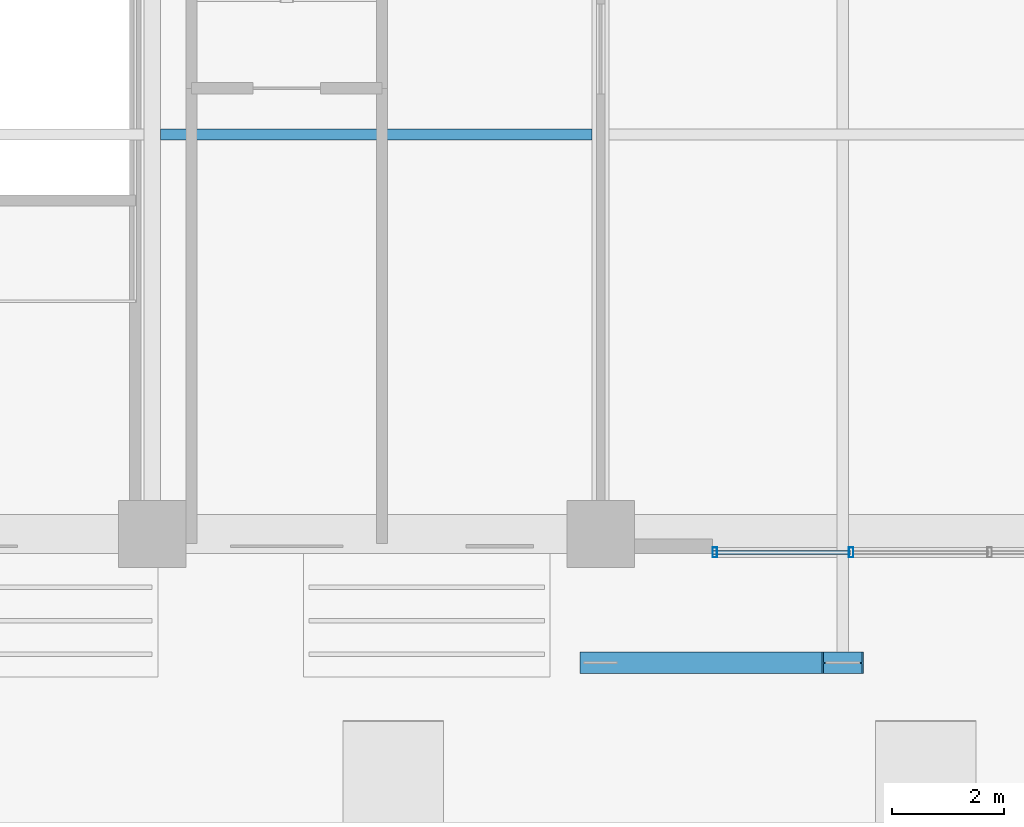
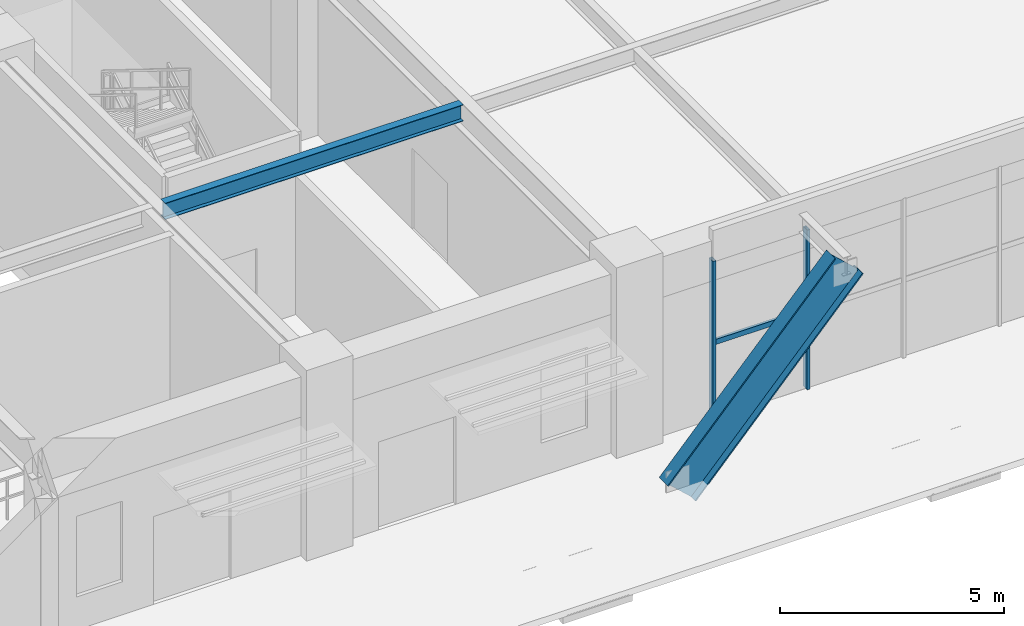
# One storey, part 5 of 40: 4 members, 1 beam, 1 element without a shape of its own.
"""IFC4 building model written with IfcOpenShell, lengths in metres."""

from ifc_helpers import new_model, si_unit, direction, frame, origin, origin_2d, place, context, subcontext, project, spatial, hollow_rectangle, i_section, extrude, source, transform, mapped, material, material_profile, profile_set, type_object, element, aggregate, save


model = new_model("IFC4")

# Units and contexts
model_context = context("Model", 3, precision=1e-05, world=origin(), true_north=direction((0.0, 1.0)))
body_context = subcontext(model_context, "Body", "Model", "MODEL_VIEW")
ifc_project = project(units=[si_unit("LENGTHUNIT", "METRE"), si_unit("AREAUNIT", "SQUARE_METRE"), si_unit("VOLUMEUNIT", "CUBIC_METRE"), si_unit("PLANEANGLEUNIT", "RADIAN"), si_unit("MASSUNIT", "GRAM", prefix="KILO")], contexts=[model_context])

# Site, building, storey
site_placement = place(None, origin())
site = spatial("IfcSite", under=ifc_project, at=site_placement, CompositionType="ELEMENT")
building_placement = place(site_placement, origin())
building = spatial("IfcBuilding", under=site, at=building_placement, Name="Trelvane Seafront Commons", CompositionType="ELEMENT")
storey_placement = place(building_placement, origin())
storey = spatial("IfcBuildingStorey", under=building, at=storey_placement, Name="L00", CompositionType="ELEMENT", Elevation=0.0)

# Beam
ifc_material_1 = material(Name="Steel SM355 (S355)", Category="steel")
ifc_material_profile_1 = material_profile(ifc_material_1, i_section(OverallWidth=0.199951171875, OverallDepth=0.449951171875, WebThickness=0.009033203125, FlangeThickness=0.013916015625, at=origin_2d()), Name="H-450x200x9x14")
ifc_profile_set_1 = profile_set([ifc_material_profile_1], Name="Steel SM355 (S355)")
beam_type = type_object("IfcBeamType", Name="STR-JST-H450", PredefinedType="JOIST", material=ifc_profile_set_1)
shared_shape_1 = source(origin(), body_context, "Body", "SweptSolid", [
    extrude(i_section(OverallWidth=0.199951171875, OverallDepth=0.449951171875, WebThickness=0.009033203125, FlangeThickness=0.013916015625, at=origin_2d()), origin(), (0.0, 0.0, 1.0), 7.699951171875),
])
beam_placement = place(storey_placement, frame((7.75, 11.074951171875, 4.655029296875), z_axis=(1.0, 0.0, 0.0), x_axis=(0.0, 1.0, 0.0)))
element("IfcBeam", 1, at=beam_placement, inside=storey, type_object=beam_type, Name="L00 Secondary Floor Joist B-60", PredefinedType="JOIST", context=body_context, shape_type="MappedRepresentation", body=[
    mapped(shared_shape_1, transform((0.0, 0.0, 0.0), x_axis=(1.0, 0.0, 0.0), y_axis=(0.0, 1.0, 0.0), z_axis=(0.0, 0.0, 1.0), scale=1.0)),
])

# Member
ifc_material_profile_2 = material_profile(ifc_material_1, i_section(OverallWidth=0.3798828125, OverallDepth=1.0, WebThickness=0.01904296875, FlangeThickness=0.033935546875, at=origin_2d()), Name="W-1000x380x19x34")
ifc_profile_set_2 = profile_set([ifc_material_profile_2], Name="Steel SM355 (S355)")
member_type_1 = type_object("IfcMemberType", Name="STR-STR-W1000", PredefinedType="STRUT", material=ifc_profile_set_2)
shared_shape_2 = source(origin(), body_context, "Body", "SweptSolid", [
    extrude(i_section(OverallWidth=0.3798828125, OverallDepth=1.0, WebThickness=0.01904296875, FlangeThickness=0.033935546875, at=origin_2d()), origin(), (0.0, 0.0, 1.0), 6.383544921875),
])
member_1_placement = place(storey_placement, frame((15.60009765625, 1.64990234375, -0.02001953125), z_axis=(0.676705985891, 0.0, 0.736253359014), x_axis=(0.0, 1.0, 0.0)))
element("IfcMember", 2, at=member_1_placement, inside=storey, type_object=member_type_1, Name="L00 Base Inverted-V Portal Mega-Strut VP-W", PredefinedType="STRUT", context=body_context, shape_type="MappedRepresentation", body=[
    mapped(shared_shape_2, transform((0.0, 0.0, 0.0), x_axis=(1.0, 0.0, 0.0), y_axis=(0.0, 1.0, 0.0), z_axis=(0.0, 0.0, 1.0), scale=1.0)),
])

# Curtain wall, members
ifc_material_2 = material(Name="Anodised pale-silver aluminium", Category="aluminium")
curtain_wall_type = type_object("IfcCurtainWallType", Name="ARCH-CW1-PODIUM", PredefinedType="NOTDEFINED", material=ifc_material_2)
curtain_wall_placement = place(storey_placement, origin())
curtain_wall = element("IfcCurtainWall", 3, at=curtain_wall_placement, inside=storey, type_object=curtain_wall_type, Name="CW-L00-VPW-0004", PredefinedType="NOTDEFINED")
ifc_material_profile_3 = material_profile(ifc_material_2, hollow_rectangle(XDim=0.080078125, YDim=0.179931640625, WallThickness=0.00439453125, at=origin_2d()), Name="MULL-80x180x4.5")
ifc_profile_set_3 = profile_set([ifc_material_profile_3], Name="Anodised pale-silver aluminium")
member_type_2 = type_object("IfcMemberType", Name="ARCH-CW-MULL-180", PredefinedType="MULLION", material=ifc_profile_set_3)
shared_shape_3 = source(origin(), body_context, "Body", "SweptSolid", [
    extrude(hollow_rectangle(XDim=0.080078125, YDim=0.179931640625, WallThickness=0.00439453125, at=origin_2d()), origin(), (0.0, 0.0, 1.0), 4.360107421875),
])
member_2_placement = place(storey_placement, frame((20.070068359375, 3.6201171875, 0.0), z_axis=(0.0, 0.0, 1.0), x_axis=(1.0, 0.0, 0.0)))
member_2 = element("IfcMember", 4, at=member_2_placement, type_object=member_type_2, Name="CW-L00-VPW-0004-M04", PredefinedType="MULLION", context=body_context, shape_type="MappedRepresentation", body=[
    mapped(shared_shape_3, transform((0.0, 0.0, 0.0), x_axis=(1.0, 0.0, 0.0), y_axis=(0.0, 1.0, 0.0), z_axis=(0.0, 0.0, 1.0), scale=1.0)),
])
member_3_placement = place(storey_placement, frame((17.639892578125, 3.6201171875, 0.0), z_axis=(0.0, 0.0, 1.0), x_axis=(1.0, 0.0, 0.0)))
member_3 = element("IfcMember", 5, at=member_3_placement, type_object=member_type_2, Name="CW-L00-VPW-0004-M05", PredefinedType="MULLION", context=body_context, shape_type="MappedRepresentation", body=[
    mapped(shared_shape_3, transform((0.0, 0.0, 0.0), x_axis=(1.0, 0.0, 0.0), y_axis=(0.0, 1.0, 0.0), z_axis=(0.0, 0.0, 1.0), scale=1.0)),
])
ifc_material_profile_4 = material_profile(ifc_material_2, hollow_rectangle(XDim=0.074951171875, YDim=0.139892578125, WallThickness=0.00390625, at=origin_2d()), Name="TRAN-75x140x4")
ifc_profile_set_4 = profile_set([ifc_material_profile_4], Name="Anodised pale-silver aluminium")
member_type_3 = type_object("IfcMemberType", Name="ARCH-CW-TRAN-140", PredefinedType="USERDEFINED", material=ifc_profile_set_4)
shared_shape_4 = source(origin(), body_context, "Body", "SweptSolid", [
    extrude(hollow_rectangle(XDim=0.074951171875, YDim=0.139892578125, WallThickness=0.00390625, at=origin_2d()), origin(), (0.0, 0.0, 1.0), 2.446044921875),
])
member_4_placement = place(storey_placement, frame((20.05810546875, 3.6201171875, 2.093017578125), z_axis=(-1.0, 0.0, 0.0), x_axis=(0.0, -1.0, 0.0)))
member_4 = element("IfcMember", 6, at=member_4_placement, type_object=member_type_3, Name="CW-L00-VPW-0004-T04", ObjectType="TRANSOM", PredefinedType="USERDEFINED", context=body_context, shape_type="MappedRepresentation", body=[
    mapped(shared_shape_4, transform((0.0, 0.0, 0.0), x_axis=(1.0, 0.0, 0.0), y_axis=(0.0, 1.0, 0.0), z_axis=(0.0, 0.0, 1.0), scale=1.0)),
])
aggregate(curtain_wall, [member_2, member_3, member_4])

save(model, "model.ifc")
